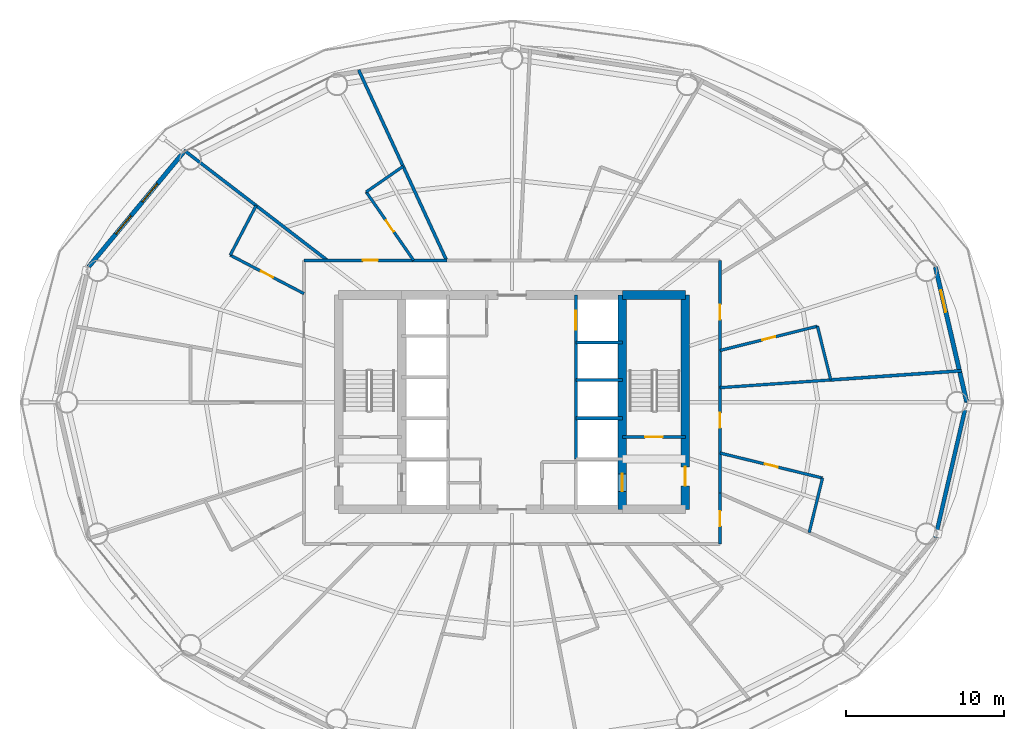
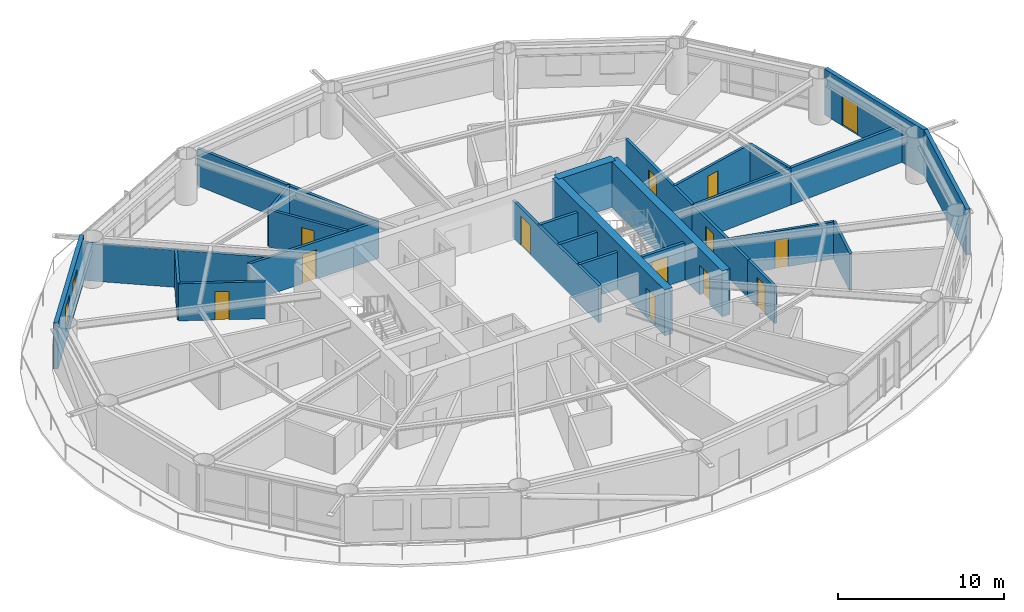
# One storey, part 20 of 24: 27 walls, 13 doors, 2 windows, 15 openings.
"""IFC4 building model written with IfcOpenShell, lengths in metres."""

from ifc_helpers import new_model, si_unit, direction, frame, frame_2d, origin, place, context, subcontext, project, spatial, rectangle, extrude, material, layer, layer_set, type_object, element, fill, save


model = new_model("IFC4")

# Units and contexts
model_context = context("Model", 3, precision=1e-05, world=origin(), true_north=direction((0.0, 1.0)))
body_context = subcontext(model_context, "Body", "Model", "MODEL_VIEW")
ifc_project = project(units=[si_unit("LENGTHUNIT", "METRE"), si_unit("AREAUNIT", "SQUARE_METRE"), si_unit("VOLUMEUNIT", "CUBIC_METRE"), si_unit("PLANEANGLEUNIT", "RADIAN"), si_unit("MASSUNIT", "GRAM", prefix="KILO")], contexts=[model_context])

# Site, building, storey
site_placement = place(None, origin())
site = spatial("IfcSite", under=ifc_project, at=site_placement, CompositionType="ELEMENT")
building_placement = place(site_placement, origin())
building = spatial("IfcBuilding", under=site, at=building_placement, Name="Sarneth Arch Tower", CompositionType="ELEMENT")
storey_placement = place(building_placement, frame((0.0, 0.0, 87.60009765625)))
storey = spatial("IfcBuildingStorey", under=building, at=storey_placement, Name="L21", CompositionType="ELEMENT", Elevation=87.60009765625)

# Wall
ifc_material_1 = material(Name="Concrete C60/75", Category="concrete")
ifc_layer_1 = layer(ifc_material_1, 0.550048828125)
ifc_layer_set_1 = layer_set([ifc_layer_1], Name="Concrete C60/75")
wall_type_1 = type_object("IfcWallType", Name="WALL-CORE-550", PredefinedType="SHEAR", material=ifc_layer_set_1)
wall_1_placement = place(storey_placement, frame((55.0, 48.800048828125, 0.0), z_axis=(0.0, 0.0, 1.0), x_axis=(1.0, 0.0, 0.0)))
element("IfcWall", 1, at=wall_1_placement, inside=storey, type_object=wall_type_1, Name="L21 Core shear wall N-E", PredefinedType="SHEAR", context=body_context, shape_type="SweptSolid", body=[
    extrude(rectangle(XDim=4.0, YDim=0.550048828125, at=frame_2d((2.0, 0.0))), origin(), (0.0, 0.0, 1.0), 3.3798828125),
])

# Wall, opening, door
wall_2_placement = place(storey_placement, frame((59.0, 35.199951171875, 0.0), z_axis=(0.0, 0.0, 1.0), x_axis=(0.0, 1.0, 0.0)))
wall_2 = element("IfcWall", 2, at=wall_2_placement, inside=storey, type_object=wall_type_1, Name="L21 Core shear wall E", PredefinedType="SHEAR", context=body_context, shape_type="SweptSolid", body=[
    extrude(rectangle(XDim=13.60009765625, YDim=0.550048828125, at=frame_2d((6.800048828125, 0.0))), origin(), (0.0, 0.0, 1.0), 3.3798828125),
])
opening_1_placement = place(wall_2_placement, frame((1.5, 0.0, 0.0)))
opening_1 = element("IfcOpeningElement", 3, at=opening_1_placement, cuts=wall_2, Name="Opening FD-02", PredefinedType="OPENING", context=body_context, shape_type="SweptSolid", body=[
    extrude(rectangle(XDim=1.199951171875, YDim=2.14990234375, at=frame_2d((0.60009765625, 1.074951171875))), frame((0.0, 0.284912109375, 0.0), z_axis=(0.0, -1.0, 0.0), x_axis=(1.0, 0.0, 0.0)), (0.0, 0.0, 1.0), 0.570068359375),
])
ifc_material_2 = material(Name="Galvanised Steel S275 fire door set", Category="steel")
door_type_1 = type_object("IfcDoorType", Name="DR-FD90-1200", OperationType="SINGLE_SWING_LEFT", PredefinedType="DOOR", material=ifc_material_2)
door_1_placement = place(opening_1_placement, origin())
door_1 = element("IfcDoor", 4, at=door_1_placement, inside=storey, type_object=door_type_1, Name="L21 Firefighting lobby 2 exit door", OperationType="SINGLE_SWING_RIGHT", OverallHeight=2.14990234375, OverallWidth=1.199951171875, PredefinedType="DOOR", context=body_context, shape_type="SweptSolid", body=[
    extrude(rectangle(XDim=1.199951171875, YDim=2.14990234375, at=frame_2d((0.60009765625, 1.074951171875))), frame((0.0, 0.02490234375, 0.0), z_axis=(0.0, -1.0, 0.0), x_axis=(1.0, 0.0, 0.0)), (0.0, 0.0, 1.0), 0.050048828125),
])
fill(opening_1, door_1)

wall_3_placement = place(storey_placement, frame((55.0, 35.199951171875, 0.0), z_axis=(0.0, 0.0, 1.0), x_axis=(0.0, 1.0, 0.0)))
wall_3 = element("IfcWall", 5, at=wall_3_placement, inside=storey, type_object=wall_type_1, Name="L21 Core shear wall WEB-E", PredefinedType="SHEAR", context=body_context, shape_type="SweptSolid", body=[
    extrude(rectangle(XDim=13.60009765625, YDim=0.550048828125, at=frame_2d((6.800048828125, 0.0))), origin(), (0.0, 0.0, 1.0), 3.3798828125),
])
opening_2_placement = place(wall_3_placement, frame((1.14990234375, 0.0, 0.0)))
opening_2 = element("IfcOpeningElement", 6, at=opening_2_placement, cuts=wall_3, Name="Opening LD-1", PredefinedType="OPENING", context=body_context, shape_type="SweptSolid", body=[
    extrude(rectangle(XDim=1.10009765625, YDim=2.199951171875, at=frame_2d((0.550048828125, 1.10009765625))), frame((0.0, 0.284912109375, 0.0), z_axis=(0.0, -1.0, 0.0), x_axis=(1.0, 0.0, 0.0)), (0.0, 0.0, 1.0), 0.570068359375),
])
ifc_material_3 = material(Name="Brushed Stainless Steel 304 lift landing door", Category="steel")
door_type_2 = type_object("IfcDoorType", Name="DR-LIFT-SLIDE-1100", OperationType="SLIDING_TO_LEFT", PredefinedType="DOOR", material=ifc_material_3)
door_2_placement = place(opening_2_placement, origin())
door_2 = element("IfcDoor", 7, at=door_2_placement, inside=storey, type_object=door_type_2, Name="L21 Firefighting lift landing door FL-2", OperationType="SLIDING_TO_RIGHT", OverallHeight=2.199951171875, OverallWidth=1.10009765625, PredefinedType="DOOR", context=body_context, shape_type="SweptSolid", body=[
    extrude(rectangle(XDim=1.10009765625, YDim=2.199951171875, at=frame_2d((0.550048828125, 1.10009765625))), frame((0.0, 0.02490234375, 0.0), z_axis=(0.0, -1.0, 0.0), x_axis=(1.0, 0.0, 0.0)), (0.0, 0.0, 1.0), 0.050048828125),
])
fill(opening_2, door_2)

ifc_material_4 = material(Name="Double steel-stud corridor fire wall", Category="steel")
ifc_layer_2 = layer(ifc_material_4, 0.18994140625)
ifc_layer_set_2 = layer_set([ifc_layer_2], Name="Double steel-stud corridor fire wall")
wall_type_2 = type_object("IfcWallType", Name="WALL-CORR-190", PredefinedType="PARTITIONING", material=ifc_layer_set_2)
wall_4_placement = place(storey_placement, frame((34.800048828125, 51.0, 0.0), z_axis=(0.0, 0.0, 1.0), x_axis=(1.0, 0.0, 0.0)))
wall_4 = element("IfcWall", 8, at=wall_4_placement, inside=storey, type_object=wall_type_2, Name="L21 Interior partition W-L21-TP-009", PredefinedType="PARTITIONING", context=body_context, shape_type="SweptSolid", body=[
    extrude(rectangle(XDim=9.08251953125, YDim=0.18994140625, at=frame_2d((4.541259765625, 0.0))), origin(), (0.0, 0.0, 1.0), 2.739990234375),
])
opening_3_placement = place(wall_4_placement, frame((3.741455078125, 0.0, 0.0)))
opening_3 = element("IfcOpeningElement", 9, at=opening_3_placement, cuts=wall_4, Name="Opening FD-09", PredefinedType="OPENING", context=body_context, shape_type="SweptSolid", body=[
    extrude(rectangle(XDim=0.949951171875, YDim=2.14990234375, at=frame_2d((0.47509765625, 1.074951171875))), frame((0.0, 0.10498046875, 0.0), z_axis=(0.0, -1.0, 0.0), x_axis=(1.0, 0.0, 0.0)), (0.0, 0.0, 1.0), 0.2099609375),
])
ifc_material_5 = material(Name="Hardwood timber hotel entrance fire door", Category="wood")
door_type_3 = type_object("IfcDoorType", Name="DR-FD60-950", OperationType="SINGLE_SWING_RIGHT", PredefinedType="DOOR", material=ifc_material_5)
door_3_placement = place(opening_3_placement, origin())
door_3 = element("IfcDoor", 10, at=door_3_placement, inside=storey, type_object=door_type_3, Name="L21 Interior door DR-L21-KEY-05", OperationType="SINGLE_SWING_LEFT", OverallHeight=2.14990234375, OverallWidth=0.949951171875, PredefinedType="DOOR", context=body_context, shape_type="SweptSolid", body=[
    extrude(rectangle(XDim=0.949951171875, YDim=2.14990234375, at=frame_2d((0.47509765625, 1.074951171875))), frame((0.0, 0.02490234375, 0.0), z_axis=(0.0, -1.0, 0.0), x_axis=(1.0, 0.0, 0.0)), (0.0, 0.0, 1.0), 0.050048828125),
])
fill(opening_3, door_3)

wall_5_placement = place(storey_placement, frame((61.199951171875, 51.0, 0.0), z_axis=(0.0, 0.0, 1.0), x_axis=(0.0, -1.0, 0.0)))
wall_5 = element("IfcWall", 11, at=wall_5_placement, inside=storey, type_object=wall_type_2, Name="L21 Interior partition W-L21-TP-001", PredefinedType="PARTITIONING", context=body_context, shape_type="SweptSolid", body=[
    extrude(rectangle(XDim=8.109130859375, YDim=0.18994140625, at=frame_2d((4.0546875, 0.0))), origin(), (0.0, 0.0, 1.0), 2.739990234375),
])
opening_4_placement = place(wall_5_placement, frame((2.805908203125, 0.0, 0.0)))
opening_4 = element("IfcOpeningElement", 12, at=opening_4_placement, cuts=wall_5, Name="Opening FD-09", PredefinedType="OPENING", context=body_context, shape_type="SweptSolid", body=[
    extrude(rectangle(XDim=0.949951171875, YDim=2.14990234375, at=frame_2d((0.47509765625, 1.074951171875))), frame((0.0, 0.10498046875, 0.0), z_axis=(0.0, -1.0, 0.0), x_axis=(1.0, 0.0, 0.0)), (0.0, 0.0, 1.0), 0.2099609375),
])
door_4_placement = place(opening_4_placement, origin())
door_4 = element("IfcDoor", 13, at=door_4_placement, inside=storey, type_object=door_type_3, Name="L21 Interior door DR-L21-KEY-01", OperationType="SINGLE_SWING_LEFT", OverallHeight=2.14990234375, OverallWidth=0.949951171875, PredefinedType="DOOR", context=body_context, shape_type="SweptSolid", body=[
    extrude(rectangle(XDim=0.949951171875, YDim=2.14990234375, at=frame_2d((0.47509765625, 1.074951171875))), frame((0.0, 0.02490234375, 0.0), z_axis=(0.0, -1.0, 0.0), x_axis=(1.0, 0.0, 0.0)), (0.0, 0.0, 1.0), 0.050048828125),
])
fill(opening_4, door_4)

wall_6_placement = place(storey_placement, frame((61.199951171875, 42.955078125, 0.0), z_axis=(0.0, 0.0, 1.0), x_axis=(0.0, -1.0, 0.0)))
wall_6 = element("IfcWall", 14, at=wall_6_placement, inside=storey, type_object=wall_type_2, Name="L21 Interior partition W-L21-TP-027", PredefinedType="PARTITIONING", context=body_context, shape_type="SweptSolid", body=[
    extrude(rectangle(XDim=6.7822265625, YDim=0.18994140625, at=frame_2d((3.39111328125, 0.0))), origin(), (0.0, 0.0, 1.0), 2.739990234375),
])
opening_5_placement = place(wall_6_placement, frame((1.630615234375, 0.0, 0.0)))
opening_5 = element("IfcOpeningElement", 15, at=opening_5_placement, cuts=wall_6, Name="Opening FD-09", PredefinedType="OPENING", context=body_context, shape_type="SweptSolid", body=[
    extrude(rectangle(XDim=0.949951171875, YDim=2.14990234375, at=frame_2d((0.47509765625, 1.074951171875))), frame((0.0, 0.10498046875, 0.0), z_axis=(0.0, -1.0, 0.0), x_axis=(1.0, 0.0, 0.0)), (0.0, 0.0, 1.0), 0.2099609375),
])
door_5_placement = place(opening_5_placement, origin())
door_5 = element("IfcDoor", 16, at=door_5_placement, inside=storey, type_object=door_type_3, Name="L21 Interior door DR-L21-KEY-13", OperationType="SINGLE_SWING_LEFT", OverallHeight=2.14990234375, OverallWidth=0.949951171875, PredefinedType="DOOR", context=body_context, shape_type="SweptSolid", body=[
    extrude(rectangle(XDim=0.949951171875, YDim=2.14990234375, at=frame_2d((0.47509765625, 1.074951171875))), frame((0.0, 0.02490234375, 0.0), z_axis=(0.0, -1.0, 0.0), x_axis=(1.0, 0.0, 0.0)), (0.0, 0.0, 1.0), 0.050048828125),
])
fill(opening_5, door_5)

wall_7_placement = place(storey_placement, frame((61.199951171875, 36.24267578125, 0.0), z_axis=(0.0, 0.0, 1.0), x_axis=(0.0, -1.0, 0.0)))
wall_7 = element("IfcWall", 17, at=wall_7_placement, inside=storey, type_object=wall_type_2, Name="L21 Interior partition W-L21-TP-024", PredefinedType="PARTITIONING", context=body_context, shape_type="SweptSolid", body=[
    extrude(rectangle(XDim=3.24267578125, YDim=0.18994140625, at=frame_2d((1.621337890625, 0.0))), origin(), (0.0, 0.0, 1.0), 2.739990234375),
])
opening_6_placement = place(wall_7_placement, frame((1.146240234375, 0.0, 0.0)))
opening_6 = element("IfcOpeningElement", 18, at=opening_6_placement, cuts=wall_7, Name="Opening FD-09", PredefinedType="OPENING", context=body_context, shape_type="SweptSolid", body=[
    extrude(rectangle(XDim=0.949951171875, YDim=2.14990234375, at=frame_2d((0.47509765625, 1.074951171875))), frame((0.0, 0.10498046875, 0.0), z_axis=(0.0, -1.0, 0.0), x_axis=(1.0, 0.0, 0.0)), (0.0, 0.0, 1.0), 0.2099609375),
])
door_6_placement = place(opening_6_placement, origin())
door_6 = element("IfcDoor", 19, at=door_6_placement, inside=storey, type_object=door_type_3, Name="L21 Interior door DR-L21-KEY-12", OperationType="SINGLE_SWING_RIGHT", OverallHeight=2.14990234375, OverallWidth=0.949951171875, PredefinedType="DOOR", context=body_context, shape_type="SweptSolid", body=[
    extrude(rectangle(XDim=0.949951171875, YDim=2.14990234375, at=frame_2d((0.47509765625, 1.074951171875))), frame((0.0, 0.02490234375, 0.0), z_axis=(0.0, -1.0, 0.0), x_axis=(1.0, 0.0, 0.0)), (0.0, 0.0, 1.0), 0.050048828125),
])
fill(opening_6, door_6)

# Wall
ifc_material_6 = material(Name="Extruded terracotta rainscreen on Concrete C40/50 backing", Category="masonry")
ifc_layer_3 = layer(ifc_material_6, 0.25)
ifc_layer_set_3 = layer_set([ifc_layer_3], Name="Extruded terracotta rainscreen on Concrete C40/50 backing")
wall_type_3 = type_object("IfcWallType", Name="WALL-EXT-SPAND-250", PredefinedType="SOLIDWALL", material=ifc_layer_set_3)
wall_8_placement = place(storey_placement, frame((74.861328125, 33.41650390625, 0.0), z_axis=(0.0, 0.0, 1.0), x_axis=(0.22558597182, 0.974223264616, 0.0)))
element("IfcWall", 20, at=wall_8_placement, inside=storey, type_object=wall_type_3, Name="L21 Terracotta perimeter wall 16", PredefinedType="SOLIDWALL", context=body_context, shape_type="SweptSolid", body=[
    extrude(rectangle(XDim=8.810546875, YDim=0.25, at=frame_2d((4.4052734375, 0.0))), origin(), (0.0, 0.0, 1.0), 3.3798828125),
])

# Wall, opening, door
ifc_material_7 = material(Name="Extruded terracotta rainscreen on Concrete C40/50 backing", Category="masonry")
ifc_layer_4 = layer(ifc_material_7, 0.280029296875)
ifc_layer_set_4 = layer_set([ifc_layer_4], Name="Extruded terracotta rainscreen on Concrete C40/50 backing")
wall_type_4 = type_object("IfcWallType", Name="WALL-EXT-TERRA-280", PredefinedType="SOLIDWALL", material=ifc_layer_set_4)
wall_9_placement = place(storey_placement, frame((76.848876953125, 42.0, 0.0), z_axis=(0.0, 0.0, 1.0), x_axis=(-0.22558597182, 0.974223264616, 0.0)))
wall_9 = element("IfcWall", 21, at=wall_9_placement, inside=storey, type_object=wall_type_4, Name="L21 Terracotta perimeter wall 01", PredefinedType="SOLIDWALL", context=body_context, shape_type="SweptSolid", body=[
    extrude(rectangle(XDim=8.810546875, YDim=0.280029296875, at=frame_2d((4.4052734375, 0.0))), origin(), (0.0, 0.0, 1.0), 3.3798828125),
])
opening_7_placement = place(wall_9_placement, frame((5.87451171875, 0.0, 0.0)))
opening_7 = element("IfcOpeningElement", 22, at=opening_7_placement, cuts=wall_9, Name="Opening BD-2", PredefinedType="OPENING", context=body_context, shape_type="SweptSolid", body=[
    extrude(rectangle(XDim=1.39990234375, YDim=2.199951171875, at=frame_2d((0.699951171875, 1.10009765625))), frame((0.0, 0.14990234375, 0.0), z_axis=(0.0, -1.0, 0.0), x_axis=(1.0, 0.0, 0.0)), (0.0, 0.0, 1.0), 0.300048828125),
])
ifc_material_8 = material(Name="Thermally broken Aluminium 6063-T6 and laminated safety glass", Category="aluminium")
door_type_4 = type_object("IfcDoorType", Name="DR-BALC-GLZ-1400", OperationType="SINGLE_SWING_LEFT", PredefinedType="DOOR", material=ifc_material_8)
door_7_placement = place(opening_7_placement, origin())
door_7 = element("IfcDoor", 23, at=door_7_placement, inside=storey, type_object=door_type_4, Name="L21 Balcony glazed door 01", OperationType="SINGLE_SWING_LEFT", OverallHeight=2.199951171875, OverallWidth=1.39990234375, PredefinedType="DOOR", context=body_context, shape_type="SweptSolid", body=[
    extrude(rectangle(XDim=1.39990234375, YDim=2.199951171875, at=frame_2d((0.699951171875, 1.10009765625))), frame((0.0, 0.02490234375, 0.0), z_axis=(0.0, -1.0, 0.0), x_axis=(1.0, 0.0, 0.0)), (0.0, 0.0, 1.0), 0.050048828125),
])
fill(opening_7, door_7)

# Wall, openings, windows
wall_10_placement = place(storey_placement, frame((27.159912109375, 57.8603515625, 0.0), z_axis=(0.0, 0.0, 1.0), x_axis=(-0.637505817448, -0.770445541696, 0.0)))
wall_10 = element("IfcWall", 24, at=wall_10_placement, inside=storey, type_object=wall_type_4, Name="L21 Terracotta perimeter wall 07", PredefinedType="SOLIDWALL", context=body_context, shape_type="SweptSolid", body=[
    extrude(rectangle(XDim=9.445068359375, YDim=0.280029296875, at=frame_2d((4.72265625, 0.0))), origin(), (0.0, 0.0, 1.0), 3.3798828125),
])
opening_8_placement = place(wall_10_placement, frame((2.5966796875, 0.0, 0.85009765625)))
opening_8 = element("IfcOpeningElement", 25, at=opening_8_placement, cuts=wall_10, Name="Opening W-07", PredefinedType="OPENING", context=body_context, shape_type="SweptSolid", body=[
    extrude(rectangle(XDim=1.5, YDim=1.800048828125, at=frame_2d((0.75, 0.89990234375))), frame((0.0, 0.14990234375, 0.0), z_axis=(0.0, -1.0, 0.0), x_axis=(1.0, 0.0, 0.0)), (0.0, 0.0, 1.0), 0.300048828125),
])
opening_9_placement = place(wall_10_placement, frame((5.23193359375, 0.0, 0.85009765625)))
opening_9 = element("IfcOpeningElement", 26, at=opening_9_placement, cuts=wall_10, Name="Opening W-07", PredefinedType="OPENING", context=body_context, shape_type="SweptSolid", body=[
    extrude(rectangle(XDim=1.5, YDim=1.800048828125, at=frame_2d((0.75, 0.89990234375))), frame((0.0, 0.14990234375, 0.0), z_axis=(0.0, -1.0, 0.0), x_axis=(1.0, 0.0, 0.0)), (0.0, 0.0, 1.0), 0.300048828125),
])
ifc_material_9 = material(Name="Thermally broken Aluminium 6063-T6 and low-e laminated IGU", Category="aluminium")
window_type = type_object("IfcWindowType", Name="WIN-TWR-1500x1800", PartitioningType="SINGLE_PANEL", PredefinedType="WINDOW", material=ifc_material_9)
window_1_placement = place(opening_8_placement, origin())
window_1 = element("IfcWindow", 27, at=window_1_placement, inside=storey, type_object=window_type, Name="L21 Exterior window 07A", OverallHeight=1.800048828125, OverallWidth=1.5, PartitioningType="SINGLE_PANEL", PredefinedType="WINDOW", context=body_context, shape_type="SweptSolid", body=[
    extrude(rectangle(XDim=1.5, YDim=1.800048828125, at=frame_2d((0.75, 0.89990234375))), frame((0.0, 0.030029296875, 0.0), z_axis=(0.0, -1.0, 0.0), x_axis=(1.0, 0.0, 0.0)), (0.0, 0.0, 1.0), 0.06005859375),
])
fill(opening_8, window_1)
window_2_placement = place(opening_9_placement, origin())
window_2 = element("IfcWindow", 28, at=window_2_placement, inside=storey, type_object=window_type, Name="L21 Exterior window 07B", OverallHeight=1.800048828125, OverallWidth=1.5, PartitioningType="SINGLE_PANEL", PredefinedType="WINDOW", context=body_context, shape_type="SweptSolid", body=[
    extrude(rectangle(XDim=1.5, YDim=1.800048828125, at=frame_2d((0.75, 0.89990234375))), frame((0.0, 0.030029296875, 0.0), z_axis=(0.0, -1.0, 0.0), x_axis=(1.0, 0.0, 0.0)), (0.0, 0.0, 1.0), 0.06005859375),
])
fill(opening_9, window_2)

# Wall
ifc_material_10 = material(Name="Moisture-resistant plumbing chase wall", Category="gypsum")
ifc_layer_5 = layer(ifc_material_10, 0.179931640625)
ifc_layer_set_5 = layer_set([ifc_layer_5], Name="Moisture-resistant plumbing chase wall")
wall_type_5 = type_object("IfcWallType", Name="WALL-PLUMB-180", PredefinedType="PLUMBINGWALL", material=ifc_layer_set_5)
wall_11_placement = place(storey_placement, frame((68.224365234375, 43.414306640625, 0.0), z_axis=(0.0, 0.0, 1.0), x_axis=(-0.997563891584, -0.06975874287, 0.0)))
element("IfcWall", 29, at=wall_11_placement, inside=storey, type_object=wall_type_5, Name="L21 Interior partition W-L21-TP-034", PredefinedType="PLUMBINGWALL", context=body_context, shape_type="SweptSolid", body=[
    extrude(rectangle(XDim=7.04150390625, YDim=0.179931640625, at=frame_2d((3.520751953125, 0.0))), origin(), (0.0, 0.0, 1.0), 2.739990234375),
])

# Wall, opening, door
wall_12_placement = place(storey_placement, frame((67.69873046875, 37.189453125, 0.0), z_axis=(0.0, 0.0, 1.0), x_axis=(-0.971448370468, 0.237251055878, 0.0)))
wall_12 = element("IfcWall", 30, at=wall_12_placement, inside=storey, type_object=wall_type_5, Name="L21 Interior partition W-L21-TP-074", PredefinedType="PLUMBINGWALL", context=body_context, shape_type="SweptSolid", body=[
    extrude(rectangle(XDim=6.689697265625, YDim=0.179931640625, at=frame_2d((3.3447265625, 0.0))), origin(), (0.0, 0.0, 1.0), 2.739990234375),
])
opening_10_placement = place(wall_12_placement, frame((2.919921875, 0.0, 0.0)))
opening_10 = element("IfcOpeningElement", 31, at=opening_10_placement, cuts=wall_12, Name="Opening ID-02", PredefinedType="OPENING", context=body_context, shape_type="SweptSolid", body=[
    extrude(rectangle(XDim=0.85009765625, YDim=2.10009765625, at=frame_2d((0.425048828125, 1.050048828125))), frame((0.0, 0.099853515625, 0.0), z_axis=(0.0, -1.0, 0.0), x_axis=(1.0, 0.0, 0.0)), (0.0, 0.0, 1.0), 0.199951171875),
])
ifc_material_11 = material(Name="Moisture-resistant bathroom timber door", Category="wood")
door_type_5 = type_object("IfcDoorType", Name="DR-INT-850", OperationType="SINGLE_SWING_RIGHT", PredefinedType="DOOR", material=ifc_material_11)
door_8_placement = place(opening_10_placement, origin())
door_8 = element("IfcDoor", 32, at=door_8_placement, inside=storey, type_object=door_type_5, Name="L21 Interior door DR-L21-ENS-13", OperationType="SINGLE_SWING_LEFT", OverallHeight=2.10009765625, OverallWidth=0.85009765625, PredefinedType="DOOR", context=body_context, shape_type="SweptSolid", body=[
    extrude(rectangle(XDim=0.85009765625, YDim=2.10009765625, at=frame_2d((0.425048828125, 1.050048828125))), frame((0.0, 0.02490234375, 0.0), z_axis=(0.0, -1.0, 0.0), x_axis=(1.0, 0.0, 0.0)), (0.0, 0.0, 1.0), 0.050048828125),
])
fill(opening_10, door_8)

wall_13_placement = place(storey_placement, frame((61.199951171875, 45.28369140625, 0.0), z_axis=(0.0, 0.0, 1.0), x_axis=(0.970426102609, 0.241398383125, 0.0)))
wall_13 = element("IfcWall", 33, at=wall_13_placement, inside=storey, type_object=wall_type_5, Name="L21 Interior partition W-L21-TP-029", PredefinedType="PLUMBINGWALL", context=body_context, shape_type="SweptSolid", body=[
    extrude(rectangle(XDim=6.365478515625, YDim=0.179931640625, at=frame_2d((3.1826171875, 0.0))), origin(), (0.0, 0.0, 1.0), 2.739990234375),
])
opening_11_placement = place(wall_13_placement, frame((2.7578125, 0.0, 0.0)))
opening_11 = element("IfcOpeningElement", 34, at=opening_11_placement, cuts=wall_13, Name="Opening ID-02", PredefinedType="OPENING", context=body_context, shape_type="SweptSolid", body=[
    extrude(rectangle(XDim=0.85009765625, YDim=2.10009765625, at=frame_2d((0.425048828125, 1.050048828125))), frame((0.0, 0.099853515625, 0.0), z_axis=(0.0, -1.0, 0.0), x_axis=(1.0, 0.0, 0.0)), (0.0, 0.0, 1.0), 0.199951171875),
])
door_9_placement = place(opening_11_placement, origin())
door_9 = element("IfcDoor", 35, at=door_9_placement, inside=storey, type_object=door_type_5, Name="L21 Interior door DR-L21-ENS-01", OperationType="SINGLE_SWING_LEFT", OverallHeight=2.10009765625, OverallWidth=0.85009765625, PredefinedType="DOOR", context=body_context, shape_type="SweptSolid", body=[
    extrude(rectangle(XDim=0.85009765625, YDim=2.10009765625, at=frame_2d((0.425048828125, 1.050048828125))), frame((0.0, 0.02490234375, 0.0), z_axis=(0.0, -1.0, 0.0), x_axis=(1.0, 0.0, 0.0)), (0.0, 0.0, 1.0), 0.050048828125),
])
fill(opening_11, door_9)

wall_14_placement = place(storey_placement, frame((38.75, 55.339599609375, 0.0), z_axis=(0.0, 0.0, 1.0), x_axis=(0.569842064311, -0.821754234393, 0.0)))
wall_14 = element("IfcWall", 36, at=wall_14_placement, inside=storey, type_object=wall_type_5, Name="L21 Interior partition W-L21-TP-045", PredefinedType="PLUMBINGWALL", context=body_context, shape_type="SweptSolid", body=[
    extrude(rectangle(XDim=5.281005859375, YDim=0.179931640625, at=frame_2d((2.640625, 0.0))), origin(), (0.0, 0.0, 1.0), 2.739990234375),
])
opening_12_placement = place(wall_14_placement, frame((2.21533203125, 0.0, 0.0)))
opening_12 = element("IfcOpeningElement", 37, at=opening_12_placement, cuts=wall_14, Name="Opening ID-02", PredefinedType="OPENING", context=body_context, shape_type="SweptSolid", body=[
    extrude(rectangle(XDim=0.85009765625, YDim=2.10009765625, at=frame_2d((0.425048828125, 1.050048828125))), frame((0.0, 0.099853515625, 0.0), z_axis=(0.0, -1.0, 0.0), x_axis=(1.0, 0.0, 0.0)), (0.0, 0.0, 1.0), 0.199951171875),
])
door_10_placement = place(opening_12_placement, origin())
door_10 = element("IfcDoor", 38, at=door_10_placement, inside=storey, type_object=door_type_5, Name="L21 Interior door DR-L21-ENS-05", OperationType="SINGLE_SWING_RIGHT", OverallHeight=2.10009765625, OverallWidth=0.85009765625, PredefinedType="DOOR", context=body_context, shape_type="SweptSolid", body=[
    extrude(rectangle(XDim=0.85009765625, YDim=2.10009765625, at=frame_2d((0.425048828125, 1.050048828125))), frame((0.0, 0.02490234375, 0.0), z_axis=(0.0, -1.0, 0.0), x_axis=(1.0, 0.0, 0.0)), (0.0, 0.0, 1.0), 0.050048828125),
])
fill(opening_12, door_10)

wall_15_placement = place(storey_placement, frame((30.1259765625, 51.33203125, 0.0), z_axis=(0.0, 0.0, 1.0), x_axis=(0.886465103711, -0.462795440668, 0.0)))
wall_15 = element("IfcWall", 39, at=wall_15_placement, inside=storey, type_object=wall_type_5, Name="L21 Interior partition W-L21-TP-049", PredefinedType="PLUMBINGWALL", context=body_context, shape_type="SweptSolid", body=[
    extrude(rectangle(XDim=5.272705078125, YDim=0.179931640625, at=frame_2d((2.63623046875, 0.0))), origin(), (0.0, 0.0, 1.0), 2.739990234375),
])
opening_13_placement = place(wall_15_placement, frame((2.211181640625, 0.0, 0.0)))
opening_13 = element("IfcOpeningElement", 40, at=opening_13_placement, cuts=wall_15, Name="Opening ID-02", PredefinedType="OPENING", context=body_context, shape_type="SweptSolid", body=[
    extrude(rectangle(XDim=0.85009765625, YDim=2.10009765625, at=frame_2d((0.425048828125, 1.050048828125))), frame((0.0, 0.099853515625, 0.0), z_axis=(0.0, -1.0, 0.0), x_axis=(1.0, 0.0, 0.0)), (0.0, 0.0, 1.0), 0.199951171875),
])
door_11_placement = place(opening_13_placement, origin())
door_11 = element("IfcDoor", 41, at=door_11_placement, inside=storey, type_object=door_type_5, Name="L21 Interior door DR-L21-ENS-06", OperationType="SINGLE_SWING_RIGHT", OverallHeight=2.10009765625, OverallWidth=0.85009765625, PredefinedType="DOOR", context=body_context, shape_type="SweptSolid", body=[
    extrude(rectangle(XDim=0.85009765625, YDim=2.10009765625, at=frame_2d((0.425048828125, 1.050048828125))), frame((0.0, 0.02490234375, 0.0), z_axis=(0.0, -1.0, 0.0), x_axis=(1.0, 0.0, 0.0)), (0.0, 0.0, 1.0), 0.050048828125),
])
fill(opening_13, door_11)

# Walls
wall_16_placement = place(storey_placement, frame((66.853271484375, 33.72705078125, 0.0), z_axis=(0.0, 0.0, 1.0), x_axis=(0.237213207876, 0.971457613079, 0.0)))
element("IfcWall", 42, at=wall_16_placement, inside=storey, type_object=wall_type_5, Name="L21 Interior partition W-L21-TP-073", PredefinedType="PLUMBINGWALL", context=body_context, shape_type="SweptSolid", body=[
    extrude(rectangle(XDim=3.564208984375, YDim=0.179931640625, at=frame_2d((1.7822265625, 0.0))), origin(), (0.0, 0.0, 1.0), 2.739990234375),
])
wall_17_placement = place(storey_placement, frame((31.766357421875, 54.473876953125, 0.0), z_axis=(0.0, 0.0, 1.0), x_axis=(-0.462822582901, -0.886450933079, 0.0)))
element("IfcWall", 43, at=wall_17_placement, inside=storey, type_object=wall_type_5, Name="L21 Interior partition W-L21-TP-048", PredefinedType="PLUMBINGWALL", context=body_context, shape_type="SweptSolid", body=[
    extrude(rectangle(XDim=3.544189453125, YDim=0.179931640625, at=frame_2d((1.77197265625, 0.0))), origin(), (0.0, 0.0, 1.0), 2.739990234375),
])
wall_18_placement = place(storey_placement, frame((67.377197265625, 46.8203125, 0.0), z_axis=(0.0, 0.0, 1.0), x_axis=(0.241373388957, -0.970432319692, 0.0)))
element("IfcWall", 44, at=wall_18_placement, inside=storey, type_object=wall_type_5, Name="L21 Interior partition W-L21-TP-030", PredefinedType="PLUMBINGWALL", context=body_context, shape_type="SweptSolid", body=[
    extrude(rectangle(XDim=3.509765625, YDim=0.179931640625, at=frame_2d((1.7548828125, 0.0))), origin(), (0.0, 0.0, 1.0), 2.739990234375),
])
wall_19_placement = place(storey_placement, frame((41.0947265625, 56.96533203125, 0.0), z_axis=(0.0, 0.0, 1.0), x_axis=(-0.821788449593, -0.569792720308, 0.0)))
element("IfcWall", 45, at=wall_19_placement, inside=storey, type_object=wall_type_5, Name="L21 Interior partition W-L21-TP-044", PredefinedType="PLUMBINGWALL", context=body_context, shape_type="SweptSolid", body=[
    extrude(rectangle(XDim=2.853271484375, YDim=0.179931640625, at=frame_2d((1.4267578125, 0.0))), origin(), (0.0, 0.0, 1.0), 2.739990234375),
])

# Wall, opening, door
ifc_material_12 = material(Name="Aerated concrete blockwork C25/30", Category="masonry")
ifc_layer_6 = layer(ifc_material_12, 0.199951171875)
ifc_layer_set_6 = layer_set([ifc_layer_6], Name="Aerated concrete blockwork C25/30")
wall_type_6 = type_object("IfcWallType", Name="WALL-SHAFT-200", PredefinedType="SOLIDWALL", material=ifc_layer_set_6)
wall_20_placement = place(storey_placement, frame((55.0, 39.800048828125, 0.0), z_axis=(0.0, 0.0, 1.0), x_axis=(1.0, 0.0, 0.0)))
wall_20 = element("IfcWall", 46, at=wall_20_placement, inside=storey, type_object=wall_type_6, Name="L21 Interior partition W-L21-ST2-S", PredefinedType="SOLIDWALL", context=body_context, shape_type="SweptSolid", body=[
    extrude(rectangle(XDim=4.0, YDim=0.199951171875, at=frame_2d((2.0, 0.0))), origin(), (0.0, 0.0, 1.0), 2.739990234375),
])
opening_14_placement = place(wall_20_placement, frame((1.449951171875, 0.0, 0.0)))
opening_14 = element("IfcOpeningElement", 47, at=opening_14_placement, cuts=wall_20, Name="Opening FD-03", PredefinedType="OPENING", context=body_context, shape_type="SweptSolid", body=[
    extrude(rectangle(XDim=1.10009765625, YDim=2.14990234375, at=frame_2d((0.550048828125, 1.074951171875))), frame((0.0, 0.10986328125, 0.0), z_axis=(0.0, -1.0, 0.0), x_axis=(1.0, 0.0, 0.0)), (0.0, 0.0, 1.0), 0.219970703125),
])
ifc_material_13 = material(Name="Galvanised Steel S275 fire door set", Category="steel")
door_type_6 = type_object("IfcDoorType", Name="DR-FD90-1100", OperationType="SINGLE_SWING_LEFT", PredefinedType="DOOR", material=ifc_material_13)
door_12_placement = place(opening_14_placement, origin())
door_12 = element("IfcDoor", 48, at=door_12_placement, inside=storey, type_object=door_type_6, Name="L21 Interior door DR-L21-ST2", OperationType="SINGLE_SWING_RIGHT", OverallHeight=2.14990234375, OverallWidth=1.10009765625, PredefinedType="DOOR", context=body_context, shape_type="SweptSolid", body=[
    extrude(rectangle(XDim=1.10009765625, YDim=2.14990234375, at=frame_2d((0.550048828125, 1.074951171875))), frame((0.0, 0.02490234375, 0.0), z_axis=(0.0, -1.0, 0.0), x_axis=(1.0, 0.0, 0.0)), (0.0, 0.0, 1.0), 0.050048828125),
])
fill(opening_14, door_12)

wall_21_placement = place(storey_placement, frame((52.050048828125, 38.39990234375, 0.0), z_axis=(0.0, 0.0, 1.0), x_axis=(0.0, 1.0, 0.0)))
wall_21 = element("IfcWall", 49, at=wall_21_placement, inside=storey, type_object=wall_type_6, Name="L21 Interior partition W-L21-EASTBANK-FRONT", PredefinedType="SOLIDWALL", context=body_context, shape_type="SweptSolid", body=[
    extrude(rectangle(XDim=10.400146484375, YDim=0.199951171875, at=frame_2d((5.2001953125, 0.0))), origin(), (0.0, 0.0, 1.0), 2.739990234375),
])
opening_15_placement = place(wall_21_placement, frame((8.199951171875, 0.0, 0.0)))
opening_15 = element("IfcOpeningElement", 50, at=opening_15_placement, cuts=wall_21, Name="Opening LD-2", PredefinedType="OPENING", context=body_context, shape_type="SweptSolid", body=[
    extrude(rectangle(XDim=1.199951171875, YDim=2.199951171875, at=frame_2d((0.60009765625, 1.10009765625))), frame((0.0, 0.10986328125, 0.0), z_axis=(0.0, -1.0, 0.0), x_axis=(1.0, 0.0, 0.0)), (0.0, 0.0, 1.0), 0.219970703125),
])
ifc_material_14 = material(Name="Brushed Stainless Steel 304 service lift door", Category="steel")
door_type_7 = type_object("IfcDoorType", Name="DR-LIFT-SLIDE-1200", OperationType="SLIDING_TO_RIGHT", PredefinedType="DOOR", material=ifc_material_14)
door_13_placement = place(opening_15_placement, origin())
door_13 = element("IfcDoor", 51, at=door_13_placement, inside=storey, type_object=door_type_7, Name="L21 Lift landing door DR-L21-LD-SL1", OperationType="SLIDING_TO_RIGHT", OverallHeight=2.199951171875, OverallWidth=1.199951171875, PredefinedType="DOOR", context=body_context, shape_type="SweptSolid", body=[
    extrude(rectangle(XDim=1.199951171875, YDim=2.199951171875, at=frame_2d((0.60009765625, 1.10009765625))), frame((0.0, 0.02490234375, 0.0), z_axis=(0.0, -1.0, 0.0), x_axis=(1.0, 0.0, 0.0)), (0.0, 0.0, 1.0), 0.050048828125),
])
fill(opening_15, door_13)

# Walls
for number, where, z_axis, x_axis, name in (
    (52, (52.050048828125, 40.97998046875, 0.0), (0.0, 0.0, 1.0), (1.0, 0.0, 0.0), "L21 Interior partition W-L21-EB-DIV-4098"),
    (53, (52.050048828125, 43.419921875, 0.0), (0.0, 0.0, 1.0), (1.0, 0.0, 0.0), "L21 Interior partition W-L21-EB-DIV-4342"),
    (54, (52.050048828125, 45.800048828125, 0.0), (0.0, 0.0, 1.0), (1.0, 0.0, 0.0), "L21 Interior partition W-L21-EB-DIV-4580"),
):
    element("IfcWall", number, at=place(storey_placement, frame(where, z_axis=z_axis, x_axis=x_axis)), inside=storey, type_object=wall_type_6, Name=name, PredefinedType="SOLIDWALL", context=body_context, shape_type="SweptSolid", body=[
        extrude(rectangle(XDim=2.949951171875, YDim=0.199951171875, at=frame_2d((1.47509765625, 0.0))), origin(), (0.0, 0.0, 1.0), 2.739990234375),
    ])
ifc_material_15 = material(Name="Double steel-stud acoustic drywall", Category="steel")
ifc_layer_7 = layer(ifc_material_15, 0.199951171875)
ifc_layer_set_7 = layer_set([ifc_layer_7], Name="Double steel-stud acoustic drywall")
wall_type_7 = type_object("IfcWallType", Name="WALL-UNIT-200", PredefinedType="PARTITIONING", material=ifc_layer_set_7)
wall_22_placement = place(storey_placement, frame((76.509033203125, 43.99365234375, 0.0), z_axis=(0.0, 0.0, 1.0), x_axis=(-0.997563838401, -0.069759503404, 0.0)))
element("IfcWall", 55, at=wall_22_placement, inside=storey, type_object=wall_type_7, Name="L21 Interior partition W-L21-TP-033", PredefinedType="PARTITIONING", context=body_context, shape_type="SweptSolid", body=[
    extrude(rectangle(XDim=8.304931640625, YDim=0.199951171875, at=frame_2d((4.15234375, 0.0))), origin(), (0.0, 0.0, 1.0), 2.739990234375),
])
wall_23_placement = place(storey_placement, frame((43.84716796875, 51.0, 0.0), z_axis=(0.0, 0.0, 1.0), x_axis=(-0.418953467184, 0.908007704997, 0.0)))
element("IfcWall", 56, at=wall_23_placement, inside=storey, type_object=wall_type_7, Name="L21 Interior partition W-L21-TP-042", PredefinedType="PARTITIONING", context=body_context, shape_type="SweptSolid", body=[
    extrude(rectangle(XDim=13.307373046875, YDim=0.199951171875, at=frame_2d((6.65380859375, 0.0))), origin(), (0.0, 0.0, 1.0), 2.739990234375),
])
wall_24_placement = place(storey_placement, frame((36.287353515625, 51.0, 0.0), z_axis=(0.0, 0.0, 1.0), x_axis=(-0.792955910196, 0.609279020224, 0.0)))
element("IfcWall", 57, at=wall_24_placement, inside=storey, type_object=wall_type_7, Name="L21 Interior partition W-L21-TP-046", PredefinedType="PARTITIONING", context=body_context, shape_type="SweptSolid", body=[
    extrude(rectangle(XDim=11.480224609375, YDim=0.199951171875, at=frame_2d((5.740234375, 0.0))), origin(), (0.0, 0.0, 1.0), 2.739990234375),
])

save(model, "model.ifc")
